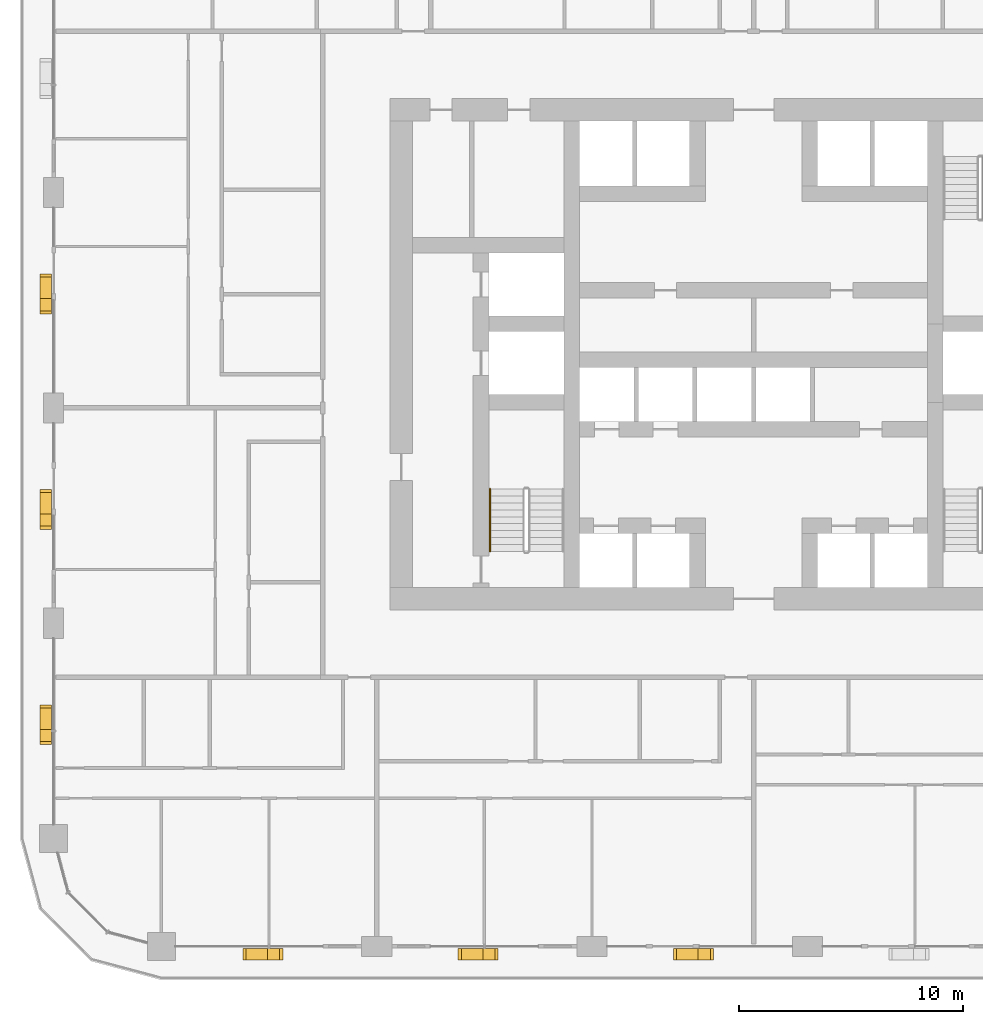
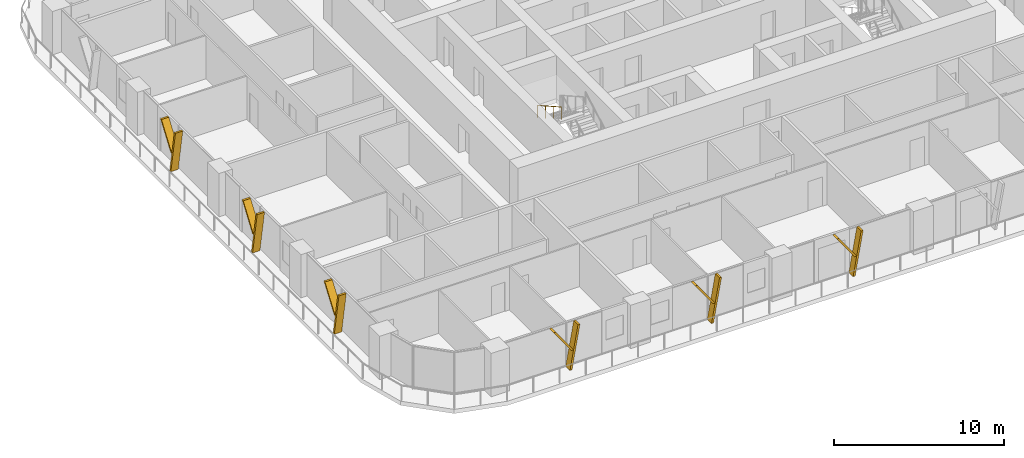
# One storey, part 16 of 21: 12 shading devices, 1 railing.
"""IFC4 building model written with IfcOpenShell, lengths in metres."""

from ifc_helpers import new_model, si_unit, direction, frame, origin, origin_2d, place, context, subcontext, project, spatial, polyline, circle, outline, extrude, material, type_object, element, save


model = new_model("IFC4")

# Units and contexts
model_context = context("Model", 3, precision=1e-05, world=origin(), true_north=direction((0.0, 1.0)))
body_context = subcontext(model_context, "Body", "Model", "MODEL_VIEW")
ifc_project = project(units=[si_unit("LENGTHUNIT", "METRE"), si_unit("AREAUNIT", "SQUARE_METRE"), si_unit("VOLUMEUNIT", "CUBIC_METRE"), si_unit("PLANEANGLEUNIT", "RADIAN"), si_unit("MASSUNIT", "GRAM", prefix="KILO")], contexts=[model_context])

# Site, building, storey
site_placement = place(None, origin())
site = spatial("IfcSite", under=ifc_project, at=site_placement, CompositionType="ELEMENT")
building_placement = place(site_placement, origin())
building = spatial("IfcBuilding", under=site, at=building_placement, Name="Madar Terraces", CompositionType="ELEMENT")
storey_placement = place(building_placement, frame((0.0, 0.0, 50.39990234375)))
storey = spatial("IfcBuildingStorey", under=building, at=storey_placement, Name="L12", CompositionType="ELEMENT", Elevation=50.39990234375)

# Shading devices
ifc_material_1 = material(Name="Aluminium, black anodised", Category="aluminium")
shading_device_type = type_object("IfcShadingDeviceType", Name="Facade fin blade 140 x 500", PredefinedType="USERDEFINED", material=ifc_material_1)
shading_device_1_placement = place(storey_placement, frame((9.530029296875, -0.35009765625, 0.0), z_axis=(0.0, 0.0, 1.0), x_axis=(1.0, 0.0, 0.0)))
element("IfcShadingDevice", 1, at=shading_device_1_placement, inside=storey, type_object=shading_device_type, Name="FIN L12 S1", ObjectType="FIN", PredefinedType="USERDEFINED", context=body_context, shape_type="SweptSolid", body=[
    extrude(outline(polyline([(0.0, 0.0), (0.139892578125, 0.0), (0.68310546875, 3.080078125), (0.54296875, 3.080078125), (0.0, 0.0)])), frame((0.0, 0.25, 0.0), z_axis=(0.0, -1.0, 0.0), x_axis=(1.0, 0.0, 0.0)), (0.0, 0.0, 1.0), 0.5),
])
shading_device_2_placement = place(storey_placement, frame((9.63427734375, -0.35009765625, 1.385986328125), z_axis=(0.0, 0.0, 1.0), x_axis=(1.0, 0.0, 0.0)))
element("IfcShadingDevice", 2, at=shading_device_2_placement, inside=storey, type_object=shading_device_type, Name="FIN L12 S1 branch", ObjectType="FIN", PredefinedType="USERDEFINED", context=body_context, shape_type="SweptSolid", body=[
    extrude(outline(polyline([(0.0, 0.0), (0.14013671875, 0.0), (-1.061279296875, 1.694091796875), (-1.201416015625, 1.694091796875), (0.0, 0.0)])), frame((0.0, 0.25, 0.0), z_axis=(0.0, -1.0, 0.0), x_axis=(1.0, 0.0, 0.0)), (0.0, 0.0, 1.0), 0.5),
])
shading_device_3_placement = place(storey_placement, frame((19.1298828125, -0.35009765625, 0.0), z_axis=(0.0, 0.0, 1.0), x_axis=(1.0, 0.0, 0.0)))
element("IfcShadingDevice", 3, at=shading_device_3_placement, inside=storey, type_object=shading_device_type, Name="FIN L12 S2", ObjectType="FIN", PredefinedType="USERDEFINED", context=body_context, shape_type="SweptSolid", body=[
    extrude(outline(polyline([(0.0, 0.0), (0.14013671875, 0.0), (0.68310546875, 3.080078125), (0.54296875, 3.080078125), (0.0, 0.0)])), frame((0.0, 0.25, 0.0), z_axis=(0.0, -1.0, 0.0), x_axis=(1.0, 0.0, 0.0)), (0.0, 0.0, 1.0), 0.5),
])
shading_device_4_placement = place(storey_placement, frame((19.234375, -0.35009765625, 1.385986328125), z_axis=(0.0, 0.0, 1.0), x_axis=(1.0, 0.0, 0.0)))
element("IfcShadingDevice", 4, at=shading_device_4_placement, inside=storey, type_object=shading_device_type, Name="FIN L12 S2 branch", ObjectType="FIN", PredefinedType="USERDEFINED", context=body_context, shape_type="SweptSolid", body=[
    extrude(outline(polyline([(0.0, 0.0), (0.139892578125, 0.0), (-1.061279296875, 1.694091796875), (-1.201416015625, 1.694091796875), (0.0, 0.0)])), frame((0.0, 0.25, 0.0), z_axis=(0.0, -1.0, 0.0), x_axis=(1.0, 0.0, 0.0)), (0.0, 0.0, 1.0), 0.5),
])
shading_device_5_placement = place(storey_placement, frame((28.72998046875, -0.35009765625, 0.0), z_axis=(0.0, 0.0, 1.0), x_axis=(1.0, 0.0, 0.0)))
element("IfcShadingDevice", 5, at=shading_device_5_placement, inside=storey, type_object=shading_device_type, Name="FIN L12 S3", ObjectType="FIN", PredefinedType="USERDEFINED", context=body_context, shape_type="SweptSolid", body=[
    extrude(outline(polyline([(0.0, 0.0), (0.14013671875, 0.0), (0.68310546875, 3.080078125), (0.54296875, 3.080078125), (0.0, 0.0)])), frame((0.0, 0.25, 0.0), z_axis=(0.0, -1.0, 0.0), x_axis=(1.0, 0.0, 0.0)), (0.0, 0.0, 1.0), 0.5),
])
shading_device_6_placement = place(storey_placement, frame((28.83447265625, -0.35009765625, 1.385986328125), z_axis=(0.0, 0.0, 1.0), x_axis=(1.0, 0.0, 0.0)))
element("IfcShadingDevice", 6, at=shading_device_6_placement, inside=storey, type_object=shading_device_type, Name="FIN L12 S3 branch", ObjectType="FIN", PredefinedType="USERDEFINED", context=body_context, shape_type="SweptSolid", body=[
    extrude(outline(polyline([(0.0, 0.0), (0.139892578125, 0.0), (-1.061279296875, 1.694091796875), (-1.201416015625, 1.694091796875), (0.0, 0.0)])), frame((0.0, 0.25, 0.0), z_axis=(0.0, -1.0, 0.0), x_axis=(1.0, 0.0, 0.0)), (0.0, 0.0, 1.0), 0.5),
])
shading_device_7_placement = place(storey_placement, frame((-0.35009765625, 28.8701171875, 0.0), z_axis=(0.0, 0.0, 1.0), x_axis=(0.0, -1.0, 0.0)))
element("IfcShadingDevice", 7, at=shading_device_7_placement, inside=storey, type_object=shading_device_type, Name="FIN L12 W2", ObjectType="FIN", PredefinedType="USERDEFINED", context=body_context, shape_type="SweptSolid", body=[
    extrude(outline(polyline([(0.0, 0.0), (0.14013671875, 0.0), (0.68310546875, 3.080078125), (0.54296875, 3.080078125), (0.0, 0.0)])), frame((0.0, 0.25, 0.0), z_axis=(0.0, -1.0, 0.0), x_axis=(1.0, 0.0, 0.0)), (0.0, 0.0, 1.0), 0.5),
])
shading_device_8_placement = place(storey_placement, frame((-0.35009765625, 28.765625, 1.385986328125), z_axis=(0.0, 0.0, 1.0), x_axis=(0.0, -1.0, 0.0)))
element("IfcShadingDevice", 8, at=shading_device_8_placement, inside=storey, type_object=shading_device_type, Name="FIN L12 W2 branch", ObjectType="FIN", PredefinedType="USERDEFINED", context=body_context, shape_type="SweptSolid", body=[
    extrude(outline(polyline([(0.0, 0.0), (0.139892578125, 0.0), (-1.061279296875, 1.694091796875), (-1.201416015625, 1.694091796875), (0.0, 0.0)])), frame((0.0, 0.25, 0.0), z_axis=(0.0, -1.0, 0.0), x_axis=(1.0, 0.0, 0.0)), (0.0, 0.0, 1.0), 0.5),
])
shading_device_9_placement = place(storey_placement, frame((-0.35009765625, 19.27001953125, 0.0), z_axis=(0.0, 0.0, 1.0), x_axis=(0.0, -1.0, 0.0)))
element("IfcShadingDevice", 9, at=shading_device_9_placement, inside=storey, type_object=shading_device_type, Name="FIN L12 W3", ObjectType="FIN", PredefinedType="USERDEFINED", context=body_context, shape_type="SweptSolid", body=[
    extrude(outline(polyline([(0.0, 0.0), (0.14013671875, 0.0), (0.68310546875, 3.080078125), (0.54296875, 3.080078125), (0.0, 0.0)])), frame((0.0, 0.25, 0.0), z_axis=(0.0, -1.0, 0.0), x_axis=(1.0, 0.0, 0.0)), (0.0, 0.0, 1.0), 0.5),
])
shading_device_10_placement = place(storey_placement, frame((-0.35009765625, 19.16552734375, 1.385986328125), z_axis=(0.0, 0.0, 1.0), x_axis=(0.0, -1.0, 0.0)))
element("IfcShadingDevice", 10, at=shading_device_10_placement, inside=storey, type_object=shading_device_type, Name="FIN L12 W3 branch", ObjectType="FIN", PredefinedType="USERDEFINED", context=body_context, shape_type="SweptSolid", body=[
    extrude(outline(polyline([(0.0, 0.0), (0.139892578125, 0.0), (-1.061279296875, 1.694091796875), (-1.201416015625, 1.694091796875), (0.0, 0.0)])), frame((0.0, 0.25, 0.0), z_axis=(0.0, -1.0, 0.0), x_axis=(1.0, 0.0, 0.0)), (0.0, 0.0, 1.0), 0.5),
])
shading_device_11_placement = place(storey_placement, frame((-0.35009765625, 9.669921875, 0.0), z_axis=(0.0, 0.0, 1.0), x_axis=(0.0, -1.0, 0.0)))
element("IfcShadingDevice", 11, at=shading_device_11_placement, inside=storey, type_object=shading_device_type, Name="FIN L12 W4", ObjectType="FIN", PredefinedType="USERDEFINED", context=body_context, shape_type="SweptSolid", body=[
    extrude(outline(polyline([(0.0, 0.0), (0.139892578125, 0.0), (0.68310546875, 3.080078125), (0.54296875, 3.080078125), (0.0, 0.0)])), frame((0.0, 0.25, 0.0), z_axis=(0.0, -1.0, 0.0), x_axis=(1.0, 0.0, 0.0)), (0.0, 0.0, 1.0), 0.5),
])
shading_device_12_placement = place(storey_placement, frame((-0.35009765625, 9.565673828125, 1.385986328125), z_axis=(0.0, 0.0, 1.0), x_axis=(0.0, -1.0, 0.0)))
element("IfcShadingDevice", 12, at=shading_device_12_placement, inside=storey, type_object=shading_device_type, Name="FIN L12 W4 branch", ObjectType="FIN", PredefinedType="USERDEFINED", context=body_context, shape_type="SweptSolid", body=[
    extrude(outline(polyline([(0.0, 0.0), (0.14013671875, 0.0), (-1.061279296875, 1.694091796875), (-1.201416015625, 1.694091796875), (0.0, 0.0)])), frame((0.0, 0.25, 0.0), z_axis=(0.0, -1.0, 0.0), x_axis=(1.0, 0.0, 0.0)), (0.0, 0.0, 1.0), 0.5),
])

# Railing
ifc_material_2 = material(Name="Stainless steel railing", Category="steel")
railing_type = type_object("IfcRailingType", Name="Stair handrail 900", PredefinedType="HANDRAIL", material=ifc_material_2)
railing_placement = place(storey_placement, frame((19.449951171875, 20.389892578125, 1.925048828125)))
element("IfcRailing", 13, at=railing_placement, inside=storey, type_object=railing_type, Name="L12 ST1 stair handrail 2", PredefinedType="HANDRAIL", context=body_context, shape_type="SweptSolid", body=[
    extrude(circle(Radius=0.02392578125, at=origin_2d()), frame((0.0, 0.0, 0.8759765625), z_axis=(0.0, -0.870815363784, 0.491610213684), x_axis=(1.0, 0.0, 0.0)), (0.0, 0.0, 1.0), 3.20361328125),
    extrude(circle(Radius=0.02099609375, at=origin_2d()), origin(), (0.0, 0.0, 1.0), 0.851806640625),
    extrude(circle(Radius=0.02099609375, at=origin_2d()), frame((0.0, -0.929931640625, 0.52490234375)), (0.0, 0.0, 1.0), 0.851806640625),
    extrude(circle(Radius=0.02099609375, at=origin_2d()), frame((0.0, -1.85986328125, 1.050048828125)), (0.0, 0.0, 1.0), 0.851806640625),
    extrude(circle(Radius=0.02099609375, at=origin_2d()), frame((0.0, -2.789794921875, 1.574951171875)), (0.0, 0.0, 1.0), 0.851806640625),
])

save(model, "model.ifc")
